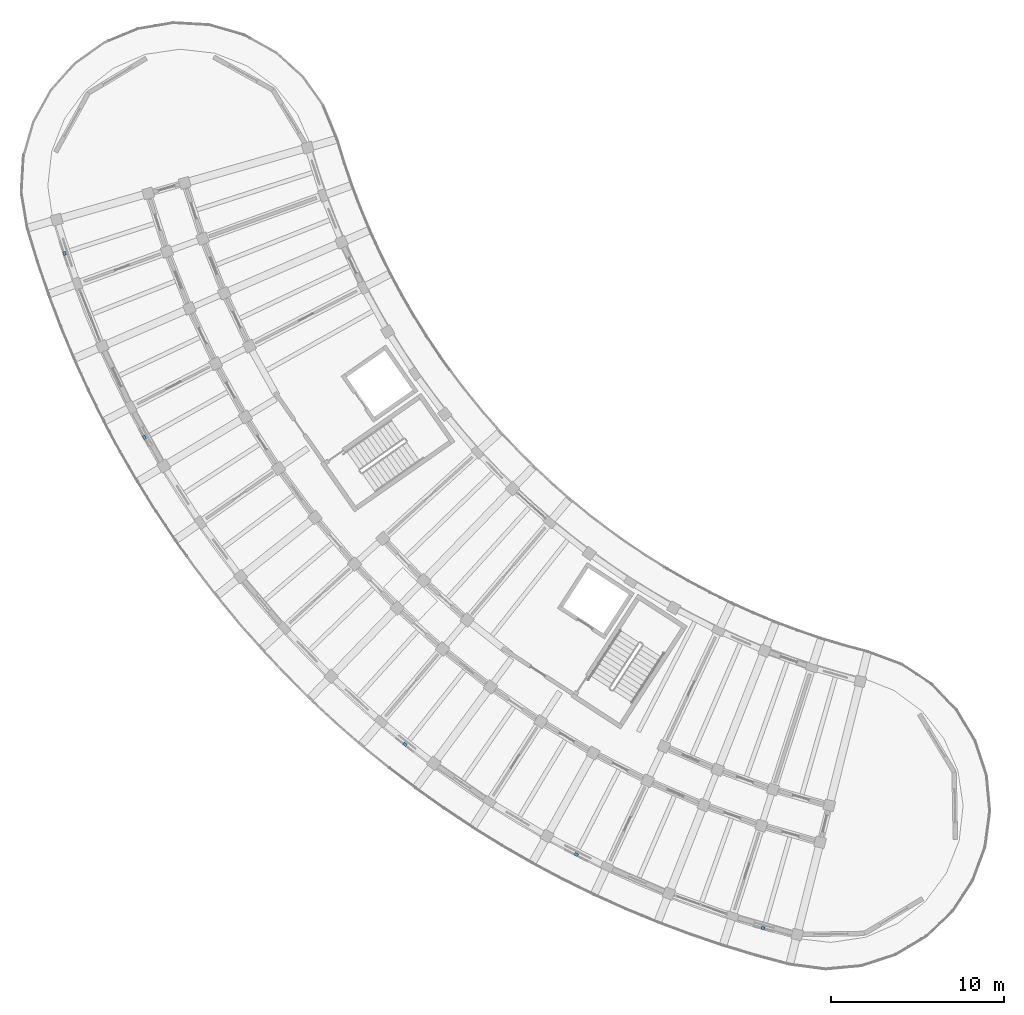
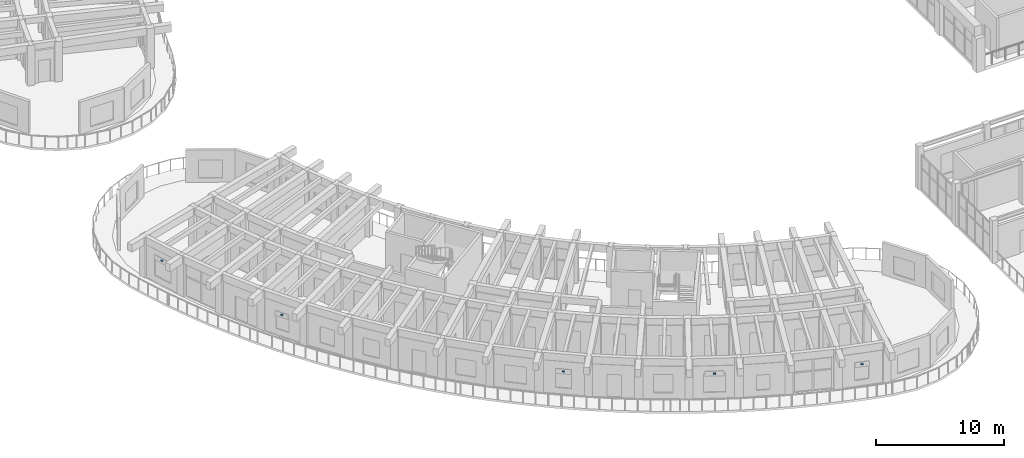
# One storey, part 103 of 128: 5 discrete accessories.
"""IFC4 building model written with IfcOpenShell, lengths in metres."""

from ifc_helpers import new_model, si_unit, direction, frame, origin, origin_2d, place, context, subcontext, project, spatial, rectangle, extrude, material, type_object, element, save


model = new_model("IFC4")

# Units and contexts
model_context = context("Model", 3, precision=1e-05, world=origin(), true_north=direction((0.0, 1.0)))
body_context = subcontext(model_context, "Body", "Model", "MODEL_VIEW")
ifc_project = project(units=[si_unit("LENGTHUNIT", "METRE"), si_unit("AREAUNIT", "SQUARE_METRE"), si_unit("VOLUMEUNIT", "CUBIC_METRE"), si_unit("PLANEANGLEUNIT", "RADIAN"), si_unit("MASSUNIT", "GRAM", prefix="KILO")], contexts=[model_context])

# Site, building, storey
site_placement = place(None, origin())
site = spatial("IfcSite", under=ifc_project, at=site_placement, CompositionType="ELEMENT")
building_placement = place(site_placement, origin())
building = spatial("IfcBuilding", under=site, at=building_placement, Name="Tanwirah Colonnade Gardens", CompositionType="ELEMENT")
storey_placement = place(building_placement, frame((0.0, 0.0, 4.760009765625)))
storey = spatial("IfcBuildingStorey", under=building, at=storey_placement, Name="L01", CompositionType="ELEMENT", Elevation=4.760009765625)

# Discrete accessories
ifc_material = material(Name="Steel S355", Category="steel")
discrete_accessory_type = type_object("IfcDiscreteAccessoryType", Name="BRK-SS1", PredefinedType="BRACKET", material=ifc_material)
for number, where, z_axis, x_axis, name in (
    (1, (8.197509765625, 46.13330078125, 2.349853515625), (0.0, 0.0, 1.0), (0.30694165475, -0.951728333391, 0.0), "Solar screen support bracket C-L01-00"),
    (2, (12.828125, 35.483154296875, 2.034912109375), (0.0, 0.0, 1.0), (0.486716717699, -0.873559864413, 0.0), "Solar screen support bracket C-L01-03"),
    (3, (27.90380859375, 17.726806640625, 2.14990234375), (0.0, 0.0, 1.0), (0.783964397211, -0.62080578598, 0.0), "Solar screen support bracket C-L01-09"),
    (4, (37.82177734375, 11.347412109375, 2.349853515625), (0.0, 0.0, 1.0), (0.890014193904, -0.455932818132, 0.0), "Solar screen support bracket C-L01-12"),
    (5, (48.626953125, 7.091064453125, 2.034912109375), (0.0, 0.0, 1.0), (0.961860085273, -0.273541909692, 0.0), "Solar screen support bracket C-L01-15"),
):
    element("IfcDiscreteAccessory", number, at=place(storey_placement, frame(where, z_axis=z_axis, x_axis=x_axis)), inside=storey, type_object=discrete_accessory_type, Name=name, PredefinedType="BRACKET", context=body_context, shape_type="SweptSolid", body=[
        extrude(rectangle(XDim=0.219970703125, YDim=0.159912109375, at=origin_2d()), origin(), (0.0, 0.0, 1.0), 0.1201171875),
    ])

save(model, "model.ifc")
